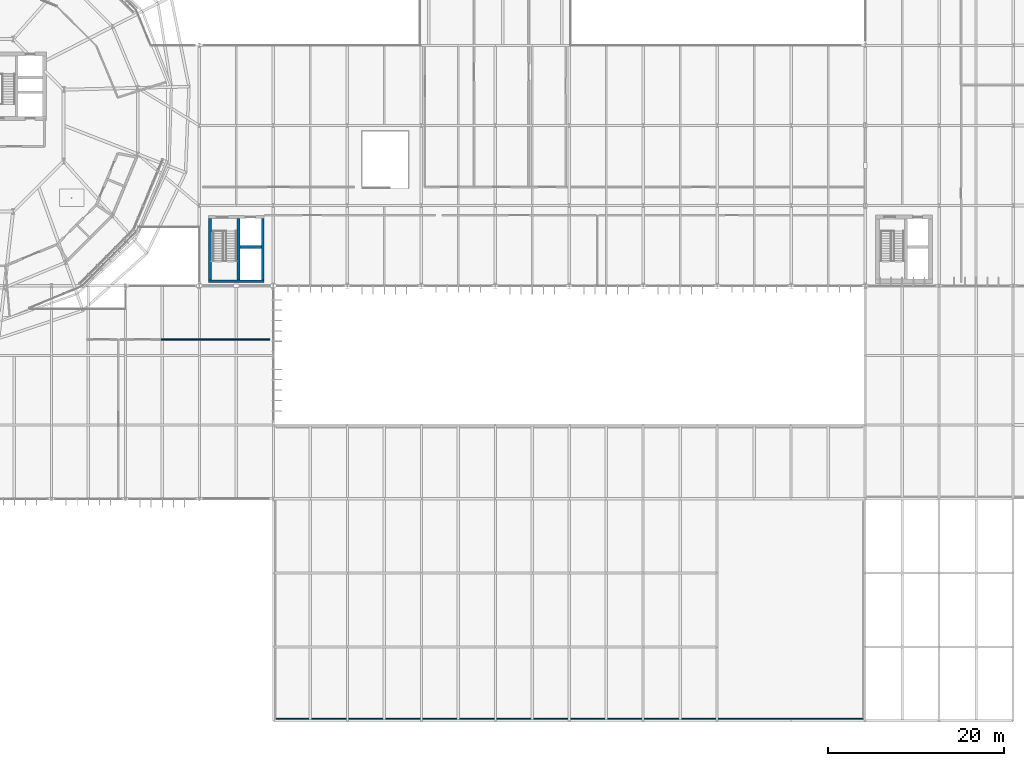
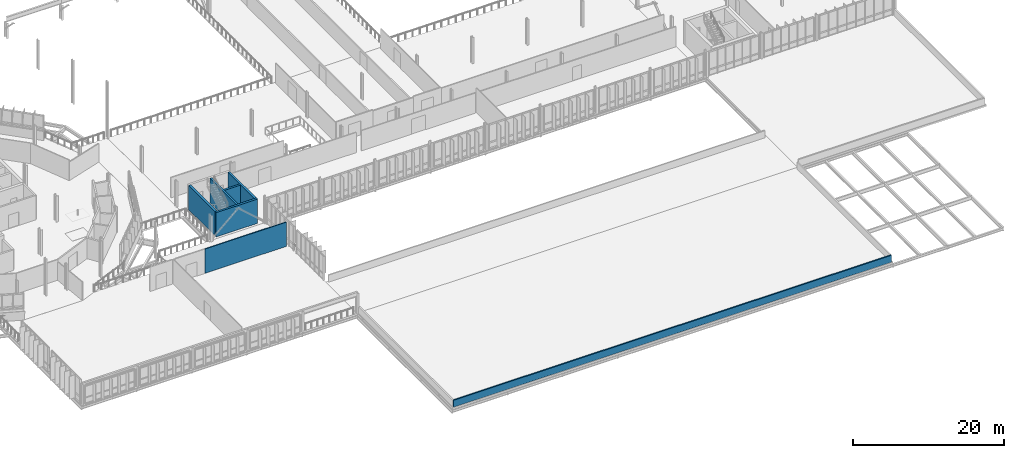
# One storey, part 88 of 107: 7 walls.
"""IFC4 building model written with IfcOpenShell, lengths in metres."""

from ifc_helpers import new_model, si_unit, derived_unit, direction, frame, frame_2d, origin, place, context, subcontext, project, spatial, rectangle, extrude, material, layer, layer_set, type_object, element, save


model = new_model("IFC4")

# Units and contexts
model_context = context("Model", 3, precision=1e-05, world=origin(), true_north=direction((0.0, 1.0)))
body_context = subcontext(model_context, "Body", "Model", "MODEL_VIEW")
ifc_project = project(units=[si_unit("LENGTHUNIT", "METRE"), si_unit("AREAUNIT", "SQUARE_METRE"), si_unit("VOLUMEUNIT", "CUBIC_METRE"), si_unit("PLANEANGLEUNIT", "RADIAN"), si_unit("MASSUNIT", "GRAM", prefix="KILO"), derived_unit("THERMALTRANSMITTANCEUNIT", [(si_unit("MASSUNIT", "GRAM", prefix="KILO"), 1), (si_unit("TIMEUNIT", "SECOND"), -3), (si_unit("THERMODYNAMICTEMPERATUREUNIT", "KELVIN"), -1)])], contexts=[model_context])

# Site, building, storey
site_placement = place(None, origin())
site = spatial("IfcSite", under=ifc_project, at=site_placement, CompositionType="ELEMENT")
building_placement = place(site_placement, origin())
building = spatial("IfcBuilding", under=site, at=building_placement, Name="Makaiwela Harbour Ferry Terminal", CompositionType="ELEMENT")
storey_placement = place(building_placement, frame((0.0, 0.0, 9.60009765625)))
storey = spatial("IfcBuildingStorey", under=building, at=storey_placement, Name="L02", CompositionType="ELEMENT", Elevation=9.60009765625)

# Walls
ifc_material_1 = material(Name="Precast concrete f'c 40 MPa (6000 psi)", Category="concrete")
ifc_layer_1 = layer(ifc_material_1, 0.199951171875)
ifc_layer_set_1 = layer_set([ifc_layer_1], Name="Precast concrete f'c 40 MPa (6000 psi)")
wall_type_1 = type_object("IfcWallType", Name="ENV-WL-PAR200", PredefinedType="PARAPET", material=ifc_layer_set_1)
wall_1_placement = place(storey_placement, frame((71.60009765625, 0.199951171875, 0.0), z_axis=(0.0, 0.0, 1.0), x_axis=(1.0, 0.0, 0.0)))
element("IfcWall", 1, at=wall_1_placement, inside=storey, type_object=wall_type_1, Name="Roof Parapet Wall PW-006", PredefinedType="PARAPET", context=body_context, shape_type="SweptSolid", body=[
    extrude(rectangle(XDim=66.7998046875, YDim=0.199951171875, at=frame_2d((33.39990234375, 0.0))), origin(), (0.0, 0.0, 1.0), 1.119873046875),
])
ifc_material_2 = material(Name="Moisture-resistant acoustic gypsum partition", Category="gypsum")
ifc_layer_2 = layer(ifc_material_2, 0.139892578125)
ifc_layer_set_2 = layer_set([ifc_layer_2], Name="Moisture-resistant acoustic gypsum partition")
wall_type_2 = type_object("IfcWallType", Name="INT-WL-PRT140", PredefinedType="PARTITIONING", material=ifc_layer_set_2)
wall_2_placement = place(storey_placement, frame((58.60009765625, 43.300048828125, 0.0), z_axis=(0.0, 0.0, 1.0), x_axis=(1.0, 0.0, 0.0)))
element("IfcWall", 2, at=wall_2_placement, inside=storey, type_object=wall_type_2, Name="Interior Wall IW-0555", PredefinedType="PARTITIONING", context=body_context, shape_type="SweptSolid", body=[
    extrude(rectangle(XDim=12.39990234375, YDim=0.139892578125, at=frame_2d((6.199951171875, 0.0))), origin(), (0.0, 0.0, 1.0), 3.919921875),
])
ifc_material_3 = material(Name="Concrete f'c 45 MPa (6500 psi)", Category="concrete")
ifc_layer_3 = layer(ifc_material_3, 0.320068359375)
ifc_layer_set_3 = layer_set([ifc_layer_3], Name="Concrete f'c 45 MPa (6500 psi)")
wall_type_3 = type_object("IfcWallType", Name="INT-WL-SHR320", PredefinedType="SHEAR", material=ifc_layer_set_3)
wall_3_placement = place(storey_placement, frame((64.0400390625, 49.89990234375, 0.0), z_axis=(0.0, 0.0, 1.0), x_axis=(1.0, 0.0, 0.0)))
element("IfcWall", 3, at=wall_3_placement, inside=storey, type_object=wall_type_3, Name="Interior Wall IW-0178", PredefinedType="SHEAR", context=body_context, shape_type="SweptSolid", body=[
    extrude(rectangle(XDim=6.320068359375, YDim=0.320068359375, at=frame_2d((3.16015625, 0.0))), origin(), (0.0, 0.0, 1.0), 3.919921875),
])
for number, where, z_axis, x_axis, name in (
    (4, (64.199951171875, 50.070068359375, 0.0), (0.0, 0.0, 1.0), (0.0, 1.0, 0.0), "Interior Wall IW-0180"),
    (5, (70.199951171875, 50.070068359375, 0.0), (0.0, 0.0, 1.0), (0.0, 1.0, 0.0), "Interior Wall IW-0181"),
    (6, (67.43994140625, 50.070068359375, 0.0), (0.0, 0.0, 1.0), (0.0, 1.0, 0.0), "Interior Wall IW-0182"),
):
    element("IfcWall", number, at=place(storey_placement, frame(where, z_axis=z_axis, x_axis=x_axis)), inside=storey, type_object=wall_type_3, Name=name, PredefinedType="SHEAR", context=body_context, shape_type="SweptSolid", body=[
        extrude(rectangle(XDim=6.9599609375, YDim=0.320068359375, at=frame_2d((3.47998046875, 0.0))), origin(), (0.0, 0.0, 1.0), 3.919921875),
    ])
wall_4_placement = place(storey_placement, frame((67.60498046875, 53.800048828125, 0.0), z_axis=(0.0, 0.0, 1.0), x_axis=(1.0, 0.0, 0.0)))
element("IfcWall", 7, at=wall_4_placement, inside=storey, type_object=wall_type_3, Name="Interior Wall IW-0183", PredefinedType="SHEAR", context=body_context, shape_type="SweptSolid", body=[
    extrude(rectangle(XDim=2.429931640625, YDim=0.320068359375, at=frame_2d((1.21484375, 0.0))), origin(), (0.0, 0.0, 1.0), 3.919921875),
])

save(model, "model.ifc")
